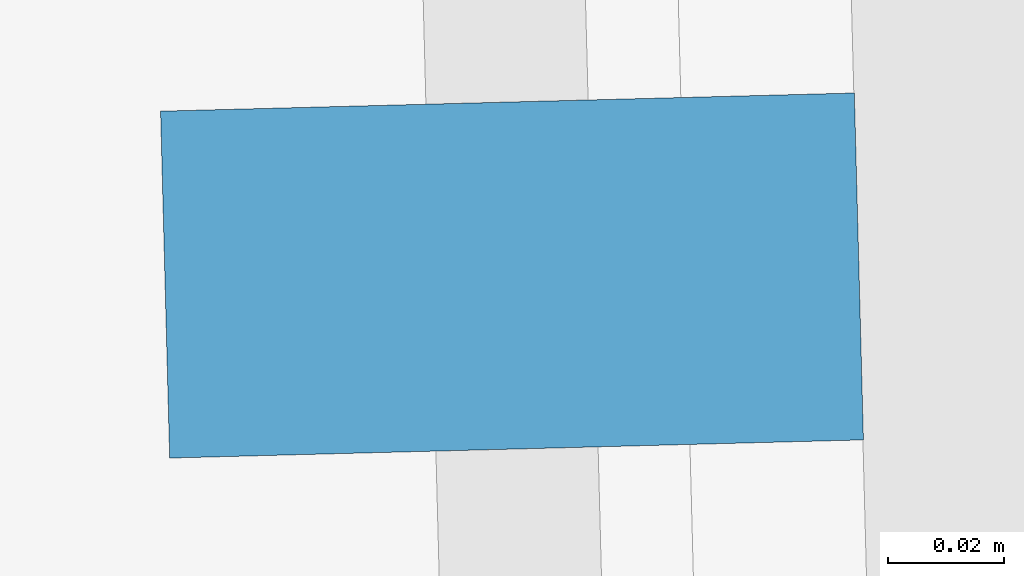
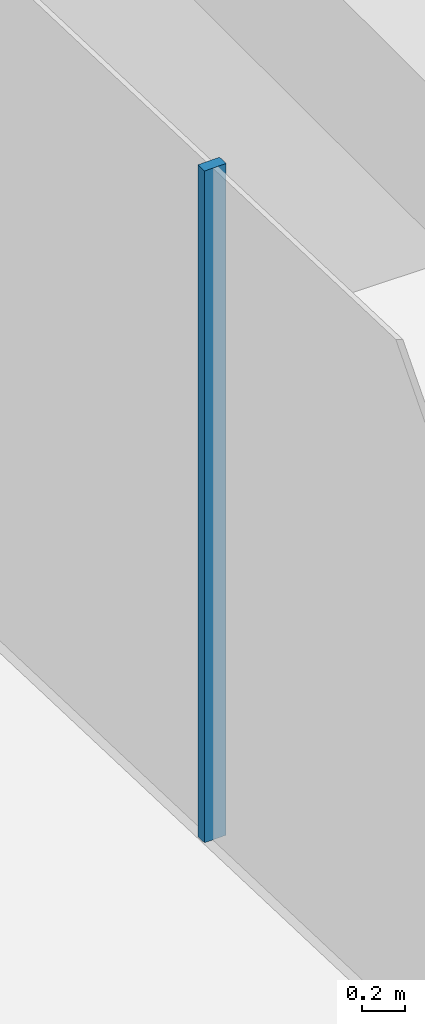
# One storey, part 9 of 20: 1 member, 1 element without a shape of its own.
"""IFC4 building model written with IfcOpenShell, lengths in metres."""

import ifcopenshell
import ifcopenshell.guid

model = None  # the IFC model being written
_history = None  # IfcOwnerHistory: only IFC2X3 demands one
_inside = {}  # id of a spatial element -> (the spatial element, [elements in it])
_under = {}  # id of a project, library or spatial element -> (it, [spatial elements below it])
_declared = {}  # id of a project -> (the project, [libraries it declares])
_typed = {}  # id of a type object -> (the type object, [elements of that type])
_made_of = {}  # id of a material, layer set ... -> (it, [elements and type objects made of it])


def new_model(schema):
    """Start an empty IFC model of exactly this schema.

    Asked for "IFC4X3", IfcOpenShell would pick the latest addendum, in which some entities
    have other attributes; the version numbers below select the first issue.
    IFC2X3 requires an IfcOwnerHistory on every rooted entity: one is made here for all.
    """
    global model, _history
    if schema == "IFC4X3":
        model = ifcopenshell.file(schema_version=(4, 3, 0, 0))
    else:
        model = ifcopenshell.file(schema=schema)
    _inside.clear()
    _under.clear()
    _declared.clear()
    _typed.clear()
    _made_of.clear()
    _history = None
    if model.schema == "IFC2X3":
        org = make("IfcOrganization", Name="unknown")
        user = make(
            "IfcPersonAndOrganization",
            ThePerson=make("IfcPerson", FamilyName="unknown"),
            TheOrganization=org,
        )
        app = make(
            "IfcApplication",
            ApplicationDeveloper=org,
            Version="unknown",
            ApplicationFullName="unknown",
            ApplicationIdentifier="unknown",
        )
        _history = make(
            "IfcOwnerHistory",
            OwningUser=user,
            OwningApplication=app,
            ChangeAction="ADDED",
            CreationDate=0,
        )
    return model


def make(cls, **values):
    """One entity of the class cls with the attributes given. An attribute that is None is left unset."""
    return model.create_entity(
        cls, **{name: value for name, value in values.items() if value is not None}
    )


def rooted(cls, **values):
    """An entity with a GlobalId (a new one), such as an element, a storey or a relation."""
    return make(cls, GlobalId=ifcopenshell.guid.new(), OwnerHistory=_history, **values)


def si_unit(unit_type, name, prefix=None):
    """IfcSIUnit, for example si_unit("LENGTHUNIT", "METRE", prefix="MILLI")."""
    return make("IfcSIUnit", UnitType=unit_type, Prefix=prefix, Name=name)


def assignment(units):
    """IfcUnitAssignment: the units of a project."""
    return None if units is None else make("IfcUnitAssignment", Units=units)


def point(xyz):
    """IfcCartesianPoint."""
    return None if xyz is None else make("IfcCartesianPoint", Coordinates=xyz)


def direction(xyz):
    """IfcDirection."""
    return None if xyz is None else make("IfcDirection", DirectionRatios=xyz)


def frame(location, z_axis=None, x_axis=None):
    """IfcAxis2Placement3D, a coordinate frame: its origin and axes. An axis left out is left unset."""
    return make(
        "IfcAxis2Placement3D",
        Location=point(location),
        Axis=direction(z_axis),
        RefDirection=direction(x_axis),
    )


def frame_2d(location, x_axis=None):
    """IfcAxis2Placement2D, a coordinate frame in the plane: its origin and x axis."""
    return make(
        "IfcAxis2Placement2D", Location=point(location), RefDirection=direction(x_axis)
    )


def origin():
    """The frame at (0, 0, 0) with its axes left unset."""
    return frame((0.0, 0.0, 0.0))


def origin_2d():
    """The frame at (0, 0) in the plane with its x axis left unset."""
    return frame_2d((0.0, 0.0))


def place(relative_to, where):
    """IfcLocalPlacement: puts the frame where relative to a parent placement (None: the world)."""
    return make(
        "IfcLocalPlacement", PlacementRelTo=relative_to, RelativePlacement=where
    )


def context(
    kind, dimensions, precision=None, world=None, true_north=None, identifier=None
):
    """IfcGeometricRepresentationContext, for example the 3D "Model" context."""
    return make(
        "IfcGeometricRepresentationContext",
        ContextIdentifier=identifier,
        ContextType=kind,
        CoordinateSpaceDimension=dimensions,
        Precision=precision,
        WorldCoordinateSystem=world,
        TrueNorth=true_north,
    )


def subcontext(parent, identifier, kind, view, scale=None):
    """IfcGeometricRepresentationSubContext, for example "Body" below "Model"."""
    return make(
        "IfcGeometricRepresentationSubContext",
        ContextIdentifier=identifier,
        ContextType=kind,
        ParentContext=parent,
        TargetScale=scale,
        TargetView=view,
    )


def project(units=None, contexts=None):
    """IfcProject with its units and contexts."""
    return rooted(
        "IfcProject",
        Name="project",
        RepresentationContexts=contexts,
        UnitsInContext=assignment(units),
    )


def spatial(cls, under=None, at=None, **own):
    """A site, building, storey or space (cls), placed at a placement, below another one or the project."""
    s = rooted(cls, ObjectPlacement=at, **own)
    if under is not None:
        _under.setdefault(under.id(), (under, []))[1].append(s)
    return s


def profile(cls, at=None, kind="AREA", **sizes):
    """A parametric profile (cls). Its sizes go by their IFC names, for example OverallWidth=200.0."""
    return make(cls, ProfileType=kind, Position=at, **sizes)


def rectangle(**sizes):
    """IfcRectangleProfileDef."""
    return profile("IfcRectangleProfileDef", **sizes)


def extrude(swept, where, along, depth):
    """IfcExtrudedAreaSolid: the profile swept, set in the frame where, extruded along a direction by depth."""
    return make(
        "IfcExtrudedAreaSolid",
        SweptArea=swept,
        Position=where,
        ExtrudedDirection=direction(along),
        Depth=depth,
    )


def shape(context_of_items, identifier, shape_type, items):
    """IfcShapeRepresentation: the items that make up one representation, for example the "Body"."""
    return make(
        "IfcShapeRepresentation",
        ContextOfItems=context_of_items,
        RepresentationIdentifier=identifier,
        RepresentationType=shape_type,
        Items=items,
    )


def material(Name=None, Category=None):
    """IfcMaterial."""
    return make("IfcMaterial", Name=Name, Category=Category)


def layer(
    of_material, thickness, ventilated=None, Name=None, Category=None, Priority=None
):
    """IfcMaterialLayer: one layer of a wall or slab, of a material (None: an air gap)."""
    return make(
        "IfcMaterialLayer",
        Material=of_material,
        LayerThickness=thickness,
        IsVentilated=ventilated,
        Name=Name,
        Category=Category,
        Priority=Priority,
    )


def layer_set(layers, Name=None):
    """IfcMaterialLayerSet."""
    return make("IfcMaterialLayerSet", MaterialLayers=layers, LayerSetName=Name)


def material_profile(
    of_material, cross_section, Name=None, Category=None, Priority=None
):
    """IfcMaterialProfile: a cross section and its material."""
    return make(
        "IfcMaterialProfile",
        Name=Name,
        Material=of_material,
        Profile=cross_section,
        Priority=Priority,
        Category=Category,
    )


def profile_set(profiles, Name=None, composite=None):
    """IfcMaterialProfileSet."""
    return make(
        "IfcMaterialProfileSet",
        Name=Name,
        MaterialProfiles=profiles,
        CompositeProfile=composite,
    )


def made_of(thing, what):
    """Note that an element or type object is made of a material, layer set ...; save() writes the relation."""
    if what is not None:
        _made_of.setdefault(what.id(), (what, []))[1].append(thing)
    return thing


def type_object(cls, material=None, **own):
    """A type object (cls), such as IfcWallType, which elements share."""
    return made_of(rooted(cls, **own), material)


def element(
    cls,
    number,
    at=None,
    inside=None,
    cuts=None,
    type_object=None,
    material=None,
    context=None,
    identifier="Body",
    shape_type=None,
    held_by="IfcProductDefinitionShape",
    body=None,
    shapes=None,
    **own,
):
    """One element of the class cls, such as IfcWall. Its Tag is "e" and its number.

    at: its placement. inside: the storey or other place that contains it. cuts: it is an
    opening in that element (IfcRelVoidsElement). A single representation is given by context,
    identifier, shape_type and body (its items); several are given by shapes. held_by: the class
    of the entity that holds the representations. save() writes the other relations.
    """
    e = rooted(cls, Tag="e%d" % number, ObjectPlacement=at, **own)
    if body is not None:
        shapes = [shape(context, identifier, shape_type, body)]
    if shapes is not None:
        e.Representation = make(held_by, Representations=shapes)
    if inside is not None:
        _inside.setdefault(inside.id(), (inside, []))[1].append(e)
    if cuts is not None:
        rooted(
            "IfcRelVoidsElement", RelatingBuildingElement=cuts, RelatedOpeningElement=e
        )
    if type_object is not None:
        _typed.setdefault(type_object.id(), (type_object, []))[1].append(e)
    return made_of(e, material)


def aggregate(whole, parts):
    """IfcRelAggregates: a whole, such as a stair, and the parts it consists of."""
    return rooted("IfcRelAggregates", RelatingObject=whole, RelatedObjects=parts)


def save(model, path):
    """Write the relations noted so far, then the file.

    IfcRelAggregates (storeys below a building ...), IfcRelContainedInSpatialStructure (elements
    in a storey), IfcRelDefinesByType, IfcRelAssociatesMaterial and IfcRelDeclares: one each for
    every whole, place, type object, material and project.
    """
    for whole, parts in _under.values():
        aggregate(whole, parts)
    for where, things in _inside.values():
        rooted(
            "IfcRelContainedInSpatialStructure",
            RelatedElements=things,
            RelatingStructure=where,
        )
    for kind, things in _typed.values():
        rooted("IfcRelDefinesByType", RelatedObjects=things, RelatingType=kind)
    for what, things in _made_of.values():
        rooted("IfcRelAssociatesMaterial", RelatedObjects=things, RelatingMaterial=what)
    for by, libraries in _declared.values():
        rooted("IfcRelDeclares", RelatingContext=by, RelatedDefinitions=libraries)
    model.write(path)


model = new_model("IFC4")

# Units and contexts
model_context = context("Model", 3, precision=1e-05, world=origin(), true_north=direction((0.0, 1.0)))
body_context = subcontext(model_context, "Body", "Model", "MODEL_VIEW")
ifc_project = project(units=[si_unit("LENGTHUNIT", "METRE"), si_unit("AREAUNIT", "SQUARE_METRE"), si_unit("VOLUMEUNIT", "CUBIC_METRE"), si_unit("PLANEANGLEUNIT", "RADIAN"), si_unit("MASSUNIT", "GRAM", prefix="KILO")], contexts=[model_context])

# Site, building, storey
site_placement = place(None, origin())
site = spatial("IfcSite", under=ifc_project, at=site_placement, CompositionType="ELEMENT")
building_placement = place(site_placement, origin())
building = spatial("IfcBuilding", under=site, at=building_placement, Name="Welwitschia Terrace Campus", CompositionType="ELEMENT")
storey_placement = place(building_placement, frame((0.0, 0.0, 222.199951171875)))
storey = spatial("IfcBuildingStorey", under=building, at=storey_placement, Name="L49", CompositionType="ELEMENT", Elevation=222.199951171875)

# Curtain wall, member
ifc_material_1 = material(Name="Bronze anodised aluminium", Category="aluminium")
ifc_layer = layer(ifc_material_1, 0.1201171875)
ifc_layer_set = layer_set([ifc_layer], Name="Bronze anodised aluminium")
curtain_wall_type = type_object("IfcCurtainWallType", Name="Curtain wall CW2 tower 6000", PredefinedType="NOTDEFINED", material=ifc_layer_set)
curtain_wall_placement = place(storey_placement, origin())
curtain_wall = element("IfcCurtainWall", 1, at=curtain_wall_placement, inside=storey, type_object=curtain_wall_type, Name="CW L49.11.0", PredefinedType="NOTDEFINED")
ifc_material_2 = material(Name="Bronze anodised aluminium", Category="aluminium")
ifc_material_profile = material_profile(ifc_material_2, rectangle(XDim=0.1201171875, YDim=0.06005859375, at=origin_2d()))
ifc_profile_set = profile_set([ifc_material_profile], Name="Bronze anodised aluminium")
member_type = type_object("IfcMemberType", Name="Mullion 60x120", PredefinedType="MULLION", material=ifc_profile_set)
member_placement = place(storey_placement, frame((-1.480712890625, 53.403564453125, 0.0), z_axis=(0.0, 0.0, 1.0), x_axis=(0.999657324976, 0.026176948308, 0.0)))
member = element("IfcMember", 2, at=member_placement, type_object=member_type, Name="Mullion L49.11.0.3", PredefinedType="MULLION", context=body_context, shape_type="SweptSolid", body=[
    extrude(rectangle(XDim=0.1201171875, YDim=0.06005859375, at=origin_2d()), origin(), (0.0, 0.0, 1.0), 3.85009765625),
])
aggregate(curtain_wall, [member])

save(model, "model.ifc")
